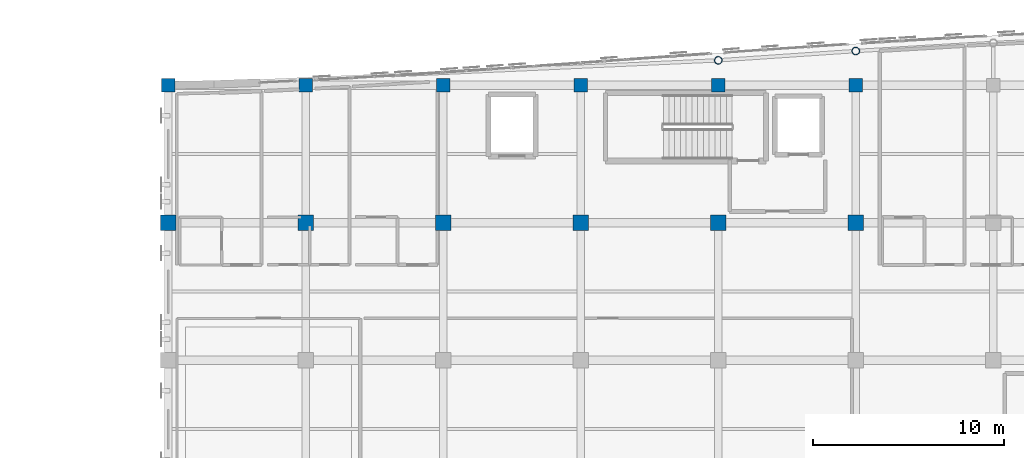
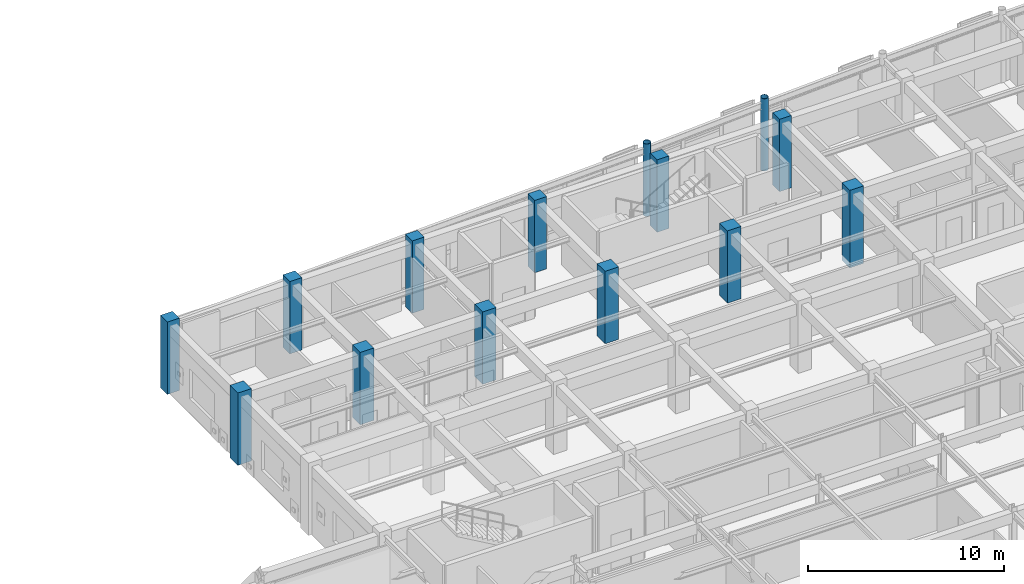
# One storey, part 7 of 106: 14 columns.
"""IFC4 building model written with IfcOpenShell, lengths in metres."""

from ifc_helpers import new_model, si_unit, direction, frame, origin, origin_2d, place, context, subcontext, project, spatial, rectangle, hollow_circle, extrude, material, material_profile, profile_set, type_object, element, save


model = new_model("IFC4")

# Units and contexts
model_context = context("Model", 3, precision=1e-05, world=origin(), true_north=direction((0.0, 1.0)))
body_context = subcontext(model_context, "Body", "Model", "MODEL_VIEW")
ifc_project = project(units=[si_unit("LENGTHUNIT", "METRE"), si_unit("AREAUNIT", "SQUARE_METRE"), si_unit("VOLUMEUNIT", "CUBIC_METRE"), si_unit("PLANEANGLEUNIT", "RADIAN"), si_unit("MASSUNIT", "GRAM", prefix="KILO")], contexts=[model_context])

# Site, building, storey
site_placement = place(None, origin())
site = spatial("IfcSite", under=ifc_project, at=site_placement, CompositionType="ELEMENT")
building_placement = place(site_placement, origin())
building = spatial("IfcBuilding", under=site, at=building_placement, Name="Carrowvane Square Congress Hotel", CompositionType="ELEMENT")
storey_placement = place(building_placement, frame((0.0, 0.0, 10.5)))
storey = spatial("IfcBuildingStorey", under=building, at=storey_placement, Name="L02", CompositionType="ELEMENT", Elevation=10.5)

# Columns
ifc_material_1 = material(Name="Concrete C40/50", Category="concrete")
ifc_material_profile_1 = material_profile(ifc_material_1, rectangle(XDim=0.699951171875, YDim=0.699951171875, at=origin_2d()), Name="RC 700x700")
ifc_profile_set_1 = profile_set([ifc_material_profile_1], Name="Concrete C40/50")
column_type_1 = type_object("IfcColumnType", Name="COL-RC-700", PredefinedType="COLUMN", material=ifc_profile_set_1)
for number, where, z_axis, x_axis, name in (
    (1, (33.199951171875, 113.39990234375, 0.0), (0.0, 0.0, 1.0), (1.0, 0.0, 0.0), "L02 column 4/R"),
    (2, (40.39990234375, 113.39990234375, 0.0), (0.0, 0.0, 1.0), (1.0, 0.0, 0.0), "L02 column 5/R"),
    (3, (47.60009765625, 113.39990234375, 0.0), (0.0, 0.0, 1.0), (1.0, 0.0, 0.0), "L02 column 6/R"),
    (4, (54.800048828125, 113.39990234375, 0.0), (0.0, 0.0, 1.0), (1.0, 0.0, 0.0), "L02 column 7/R"),
    (5, (62.0, 113.39990234375, 0.0), (0.0, 0.0, 1.0), (1.0, 0.0, 0.0), "L02 column 8/R"),
    (6, (69.199951171875, 113.39990234375, 0.0), (0.0, 0.0, 1.0), (1.0, 0.0, 0.0), "L02 column 9/R"),
):
    element("IfcColumn", number, at=place(storey_placement, frame(where, z_axis=z_axis, x_axis=x_axis)), inside=storey, type_object=column_type_1, Name=name, PredefinedType="COLUMN", context=body_context, shape_type="SweptSolid", body=[
        extrude(rectangle(XDim=0.699951171875, YDim=0.699951171875, at=origin_2d()), origin(), (0.0, 0.0, 1.0), 4.5),
    ])
ifc_material_2 = material(Name="Concrete C40/50", Category="concrete")
ifc_material_profile_2 = material_profile(ifc_material_2, rectangle(XDim=0.800048828125, YDim=0.800048828125, at=origin_2d()), Name="RC 800x800")
ifc_profile_set_2 = profile_set([ifc_material_profile_2], Name="Concrete C40/50")
column_type_2 = type_object("IfcColumnType", Name="COL-RC-800", PredefinedType="COLUMN", material=ifc_profile_set_2)
for number, where, z_axis, x_axis, name in (
    (7, (33.199951171875, 106.199951171875, 0.0), (0.0, 0.0, 1.0), (1.0, 0.0, 0.0), "L02 column 4/Q"),
    (8, (40.39990234375, 106.199951171875, 0.0), (0.0, 0.0, 1.0), (1.0, 0.0, 0.0), "L02 column 5/Q"),
    (9, (47.60009765625, 106.199951171875, 0.0), (0.0, 0.0, 1.0), (1.0, 0.0, 0.0), "L02 column 6/Q"),
    (10, (54.800048828125, 106.199951171875, 0.0), (0.0, 0.0, 1.0), (1.0, 0.0, 0.0), "L02 column 7/Q"),
    (11, (62.0, 106.199951171875, 0.0), (0.0, 0.0, 1.0), (1.0, 0.0, 0.0), "L02 column 8/Q"),
):
    element("IfcColumn", number, at=place(storey_placement, frame(where, z_axis=z_axis, x_axis=x_axis)), inside=storey, type_object=column_type_2, Name=name, PredefinedType="COLUMN", context=body_context, shape_type="SweptSolid", body=[
        extrude(rectangle(XDim=0.800048828125, YDim=0.800048828125, at=origin_2d()), origin(), (0.0, 0.0, 1.0), 4.5),
    ])
column_placement = place(storey_placement, frame((69.199951171875, 106.199951171875, -0.320068359375), z_axis=(0.0, 0.0, 1.0), x_axis=(1.0, 0.0, 0.0)))
element("IfcColumn", 12, at=column_placement, inside=storey, type_object=column_type_2, Name="L02 column 9/Q", PredefinedType="COLUMN", context=body_context, shape_type="SweptSolid", body=[
    extrude(rectangle(XDim=0.800048828125, YDim=0.800048828125, at=origin_2d()), origin(), (0.0, 0.0, 1.0), 4.820068359375),
])
ifc_material_3 = material(Name="Steel S355", Category="steel")
ifc_material_profile_3 = material_profile(ifc_material_3, hollow_circle(Radius=0.203125, WallThickness=0.02001953125, at=origin_2d()), Name="CHS 406.4x20")
ifc_profile_set_3 = profile_set([ifc_material_profile_3], Name="Steel S355")
column_type_3 = type_object("IfcColumnType", Name="COL-ST-CHS406", PredefinedType="COLUMN", material=ifc_profile_set_3)
for number, where, z_axis, x_axis, name in (
    (13, (62.0, 114.7060546875, 0.0), (0.0, 0.0, 1.0), (1.0, 0.0, 0.0), "L02 column 8/ARC"),
    (14, (69.199951171875, 115.1943359375, 0.0), (0.0, 0.0, 1.0), (1.0, 0.0, 0.0), "L02 column 9/ARC"),
):
    element("IfcColumn", number, at=place(storey_placement, frame(where, z_axis=z_axis, x_axis=x_axis)), inside=storey, type_object=column_type_3, Name=name, PredefinedType="COLUMN", context=body_context, shape_type="SweptSolid", body=[
        extrude(hollow_circle(Radius=0.203125, WallThickness=0.02001953125, at=origin_2d()), origin(), (0.0, 0.0, 1.0), 4.5),
    ])

save(model, "model.ifc")
